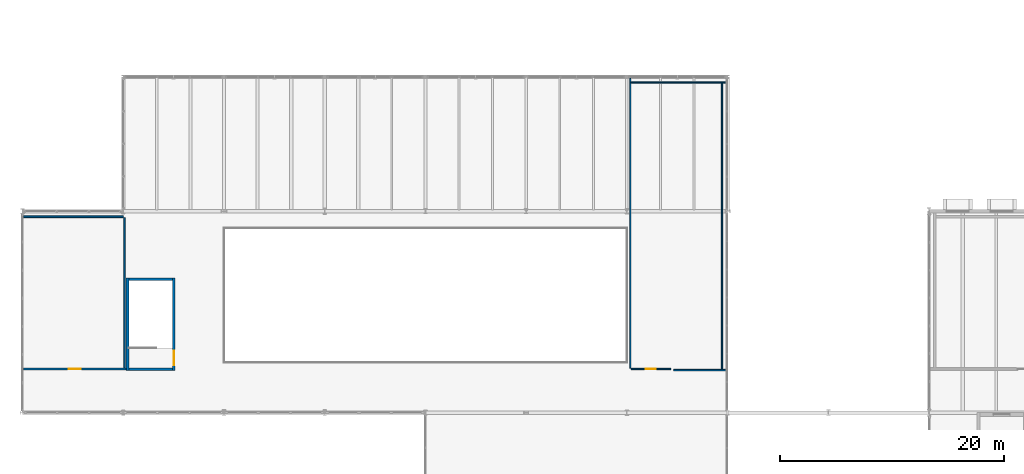
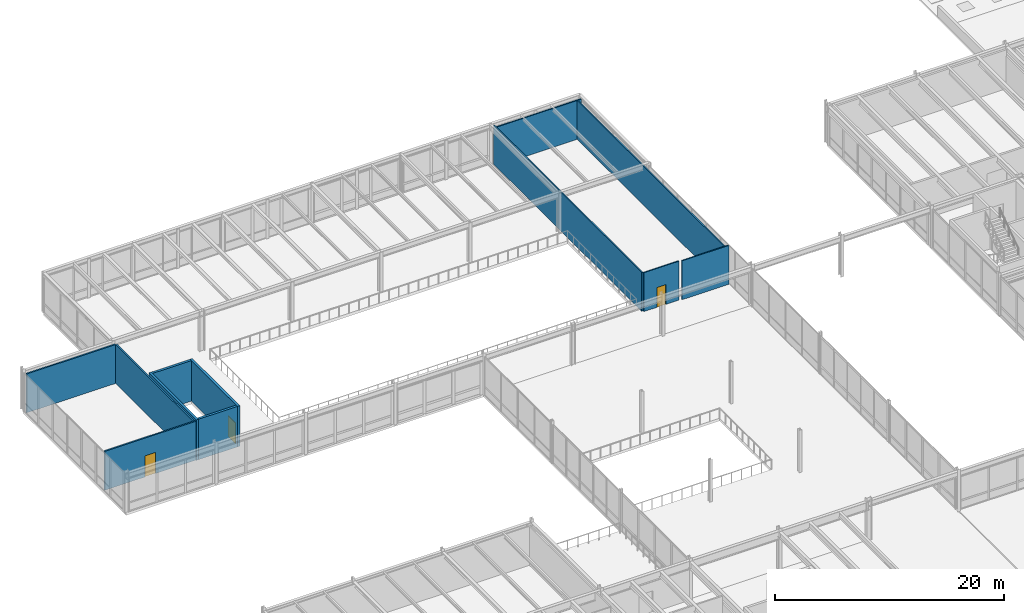
# One storey, part 107 of 115: 12 walls, 3 doors, 3 openings.
"""IFC4 building model written with IfcOpenShell, lengths in metres."""

from ifc_helpers import new_model, si_unit, direction, frame, frame_2d, origin, place, context, subcontext, project, spatial, rectangle, extrude, material, layer, layer_set, type_object, element, fill, save


model = new_model("IFC4")

# Units and contexts
model_context = context("Model", 3, precision=1e-05, world=origin(), true_north=direction((0.0, 1.0)))
body_context = subcontext(model_context, "Body", "Model", "MODEL_VIEW")
ifc_project = project(units=[si_unit("LENGTHUNIT", "METRE"), si_unit("AREAUNIT", "SQUARE_METRE"), si_unit("VOLUMEUNIT", "CUBIC_METRE"), si_unit("PLANEANGLEUNIT", "RADIAN"), si_unit("MASSUNIT", "GRAM", prefix="KILO")], contexts=[model_context])

# Site, building, storey
site_placement = place(None, origin())
site = spatial("IfcSite", under=ifc_project, at=site_placement, CompositionType="ELEMENT")
building_placement = place(site_placement, origin())
building = spatial("IfcBuilding", under=site, at=building_placement, Name="Montelvaro Courts of Justice", CompositionType="ELEMENT")
storey_placement = place(building_placement, frame((0.0, 0.0, 9.89990234375)))
storey = spatial("IfcBuildingStorey", under=building, at=storey_placement, Name="L02", CompositionType="ELEMENT", Elevation=9.89990234375)

# Wall
ifc_material_1 = material(Name="Gypsum board on metal stud")
ifc_layer_1 = layer(ifc_material_1, 0.14990234375)
ifc_layer_set_1 = layer_set([ifc_layer_1], Name="Gypsum board on metal stud")
wall_type_1 = type_object("IfcWallType", Name="ChambersPartition_150", PredefinedType="PARTITIONING", material=ifc_layer_set_1)
wall_1_placement = place(storey_placement, frame((27.10009765625, 95.419921875, 0.0), z_axis=(0.0, 0.0, 1.0), x_axis=(0.0, -1.0, 0.0)))
element("IfcWall", 1, at=wall_1_placement, inside=storey, type_object=wall_type_1, Name="Interior Partition IW-04 (L02)", PredefinedType="PARTITIONING", context=body_context, shape_type="SweptSolid", body=[
    extrude(rectangle(XDim=13.43994140625, YDim=0.14990234375, at=frame_2d((6.719970703125, 0.0))), origin(), (0.0, 0.0, 1.0), 4.14013671875),
])

# Wall, opening, door
wall_2_placement = place(storey_placement, frame((27.264892578125, 81.89990234375, 0.0), z_axis=(0.0, 0.0, 1.0), x_axis=(-1.0, 0.0, 0.0)))
wall_2 = element("IfcWall", 2, at=wall_2_placement, inside=storey, type_object=wall_type_1, Name="Interior Partition IW-04 (L02)", PredefinedType="PARTITIONING", context=body_context, shape_type="SweptSolid", body=[
    extrude(rectangle(XDim=9.18994140625, YDim=0.14990234375, at=frame_2d((4.594970703125, 0.0))), origin(), (0.0, 0.0, 1.0), 4.14013671875),
])
opening_1_placement = place(wall_2_placement, frame((4.070068359375, 0.0, 0.0)))
opening_1 = element("IfcOpeningElement", 3, at=opening_1_placement, cuts=wall_2, Name="Opening D-L02-084", PredefinedType="OPENING", context=body_context, shape_type="SweptSolid", body=[
    extrude(rectangle(XDim=1.050048828125, YDim=2.25, at=frame_2d((0.52490234375, 1.125))), frame((0.0, 0.08984375, 0.0), z_axis=(0.0, -1.0, 0.0), x_axis=(1.0, 0.0, 0.0)), (0.0, 0.0, 1.0), 0.1796875),
])
ifc_material_2 = material(Name="Acoustic oak timber veneer", Category="wood")
door_type_1 = type_object("IfcDoorType", Name="ChamberDoor_105x225", OperationType="NOTDEFINED", PredefinedType="DOOR", material=ifc_material_2)
door_1_placement = place(opening_1_placement, origin())
door_1 = element("IfcDoor", 4, at=door_1_placement, inside=storey, type_object=door_type_1, Name="Interior Door D-L02-084 (Ceremonial Upper Acoustic Gallery)", OperationType="SINGLE_SWING_LEFT", OverallHeight=2.25, OverallWidth=1.050048828125, PredefinedType="DOOR", context=body_context, shape_type="SweptSolid", body=[
    extrude(rectangle(XDim=1.050048828125, YDim=2.25, at=frame_2d((0.52490234375, 1.125))), frame((0.0, 0.02490234375, 0.0), z_axis=(0.0, -1.0, 0.0), x_axis=(1.0, 0.0, 0.0)), (0.0, 0.0, 1.0), 0.050048828125),
])
fill(opening_1, door_1)

# Wall
wall_3_placement = place(storey_placement, frame((18.074951171875, 95.5, 0.0), z_axis=(0.0, 0.0, 1.0), x_axis=(1.0, 0.0, 0.0)))
element("IfcWall", 5, at=wall_3_placement, inside=storey, type_object=wall_type_1, Name="Interior Partition IW-04 (L02)", PredefinedType="PARTITIONING", context=body_context, shape_type="SweptSolid", body=[
    extrude(rectangle(XDim=8.945068359375, YDim=0.14990234375, at=frame_2d((4.47265625, 0.0))), origin(), (0.0, 0.0, 1.0), 4.14013671875),
])

# Wall, opening, door
ifc_layer_2 = layer(ifc_material_1, 0.1201171875)
ifc_layer_set_2 = layer_set([ifc_layer_2], Name="Gypsum board on metal stud")
wall_type_2 = type_object("IfcWallType", Name="OfficePartition_120", PredefinedType="PARTITIONING", material=ifc_layer_set_2)
wall_4_placement = place(storey_placement, frame((75.919921875, 81.89990234375, 0.0), z_axis=(0.0, 0.0, 1.0), x_axis=(-1.0, 0.0, 0.0)))
wall_4 = element("IfcWall", 6, at=wall_4_placement, inside=storey, type_object=wall_type_2, Name="Interior Partition IW-05 (L02)", PredefinedType="PARTITIONING", context=body_context, shape_type="SweptSolid", body=[
    extrude(rectangle(XDim=3.5400390625, YDim=0.1201171875, at=frame_2d((1.77001953125, 0.0))), origin(), (0.0, 0.0, 1.0), 4.14013671875),
])
opening_2_placement = place(wall_4_placement, frame((1.320068359375, 0.0, 0.0)))
opening_2 = element("IfcOpeningElement", 7, at=opening_2_placement, cuts=wall_4, Name="Opening D-L02-085", PredefinedType="OPENING", context=body_context, shape_type="SweptSolid", body=[
    extrude(rectangle(XDim=0.89990234375, YDim=2.10009765625, at=frame_2d((0.449951171875, 1.050048828125))), frame((0.0, 0.074951171875, 0.0), z_axis=(0.0, -1.0, 0.0), x_axis=(1.0, 0.0, 0.0)), (0.0, 0.0, 1.0), 0.14990234375),
])
door_type_2 = type_object("IfcDoorType", Name="OfficeDoor_090x210", OperationType="NOTDEFINED", PredefinedType="DOOR", material=ifc_material_2)
door_2_placement = place(opening_2_placement, frame((0.89990234375, 0.0, 0.0), z_axis=(0.0, 0.0, 1.0), x_axis=(-1.0, 0.0, 0.0)))
door_2 = element("IfcDoor", 8, at=door_2_placement, inside=storey, type_object=door_type_2, Name="Interior Door D-L02-085 (Ceremonial Audiovisual Control Room)", OperationType="SINGLE_SWING_RIGHT", OverallHeight=2.10009765625, OverallWidth=0.89990234375, PredefinedType="DOOR", context=body_context, shape_type="SweptSolid", body=[
    extrude(rectangle(XDim=0.89990234375, YDim=2.10009765625, at=frame_2d((0.449951171875, 1.050048828125))), frame((0.0, 0.02490234375, 0.0), z_axis=(0.0, -1.0, 0.0), x_axis=(1.0, 0.0, 0.0)), (0.0, 0.0, 1.0), 0.050048828125),
])
fill(opening_2, door_2)

# Walls
wall_5_placement = place(storey_placement, frame((72.300048828125, 81.97998046875, 0.0), z_axis=(0.0, 0.0, 1.0), x_axis=(0.0, 1.0, 0.0)))
element("IfcWall", 9, at=wall_5_placement, inside=storey, type_object=wall_type_2, Name="Interior Partition IW-05 (L02)", PredefinedType="PARTITIONING", context=body_context, shape_type="SweptSolid", body=[
    extrude(rectangle(XDim=25.882080078125, YDim=0.1201171875, at=frame_2d((12.94091796875, 0.0))), origin(), (0.0, 0.0, 1.0), 4.14013671875),
])
wall_6_placement = place(storey_placement, frame((72.35498046875, 107.5, 0.0), z_axis=(0.0, 0.0, 1.0), x_axis=(1.0, 0.0, 0.0)))
element("IfcWall", 10, at=wall_6_placement, inside=storey, type_object=wall_type_2, Name="Interior Partition IW-05 (L02)", PredefinedType="PARTITIONING", context=body_context, shape_type="SweptSolid", body=[
    extrude(rectangle(XDim=8.52001953125, YDim=0.1201171875, at=frame_2d((4.260009765625, 0.0))), origin(), (0.0, 0.0, 1.0), 4.14013671875),
])
wall_7_placement = place(storey_placement, frame((80.5, 107.445068359375, 0.0), z_axis=(0.0, 0.0, 1.0), x_axis=(0.0, -1.0, 0.0)))
element("IfcWall", 11, at=wall_7_placement, inside=storey, type_object=wall_type_2, Name="Interior Partition IW-05 (L02)", PredefinedType="PARTITIONING", context=body_context, shape_type="SweptSolid", body=[
    extrude(rectangle(XDim=25.565185546875, YDim=0.1201171875, at=frame_2d((12.78271484375, 0.0))), origin(), (0.0, 0.0, 1.0), 4.14013671875),
])
wall_8_placement = place(storey_placement, frame((80.875, 81.800048828125, 0.0), z_axis=(0.0, 0.0, 1.0), x_axis=(-1.0, 0.0, 0.0)))
element("IfcWall", 12, at=wall_8_placement, inside=storey, type_object=wall_type_2, Name="Interior Partition IW-05 (L02)", PredefinedType="PARTITIONING", context=body_context, shape_type="SweptSolid", body=[
    extrude(rectangle(XDim=4.695068359375, YDim=0.1201171875, at=frame_2d((2.34765625, 0.0))), origin(), (0.0, 0.0, 1.0), 4.14013671875),
])
ifc_material_3 = material(Name="Concrete C35/45", Category="concrete")
ifc_layer_3 = layer(ifc_material_3, 0.239990234375)
ifc_layer_set_3 = layer_set([ifc_layer_3], Name="Concrete C35/45")
wall_type_3 = type_object("IfcWallType", Name="ShaftWall_240", PredefinedType="SHEAR", material=ifc_layer_set_3)
wall_9_placement = place(storey_placement, frame((27.3798828125, 81.760009765625, 0.0), z_axis=(0.0, 0.0, 1.0), x_axis=(0.0, 1.0, 0.0)))
element("IfcWall", 13, at=wall_9_placement, inside=storey, type_object=wall_type_3, Name="Protected Stair Structural Wall ST-P1-W (L02)", PredefinedType="SHEAR", context=body_context, shape_type="SweptSolid", body=[
    extrude(rectangle(XDim=8.280029296875, YDim=0.239990234375, at=frame_2d((4.14013671875, 0.0))), origin(), (0.0, 0.0, 1.0), 4.31005859375),
])

# Wall, opening, door
wall_10_placement = place(storey_placement, frame((31.52001953125, 81.760009765625, 0.0), z_axis=(0.0, 0.0, 1.0), x_axis=(0.0, 1.0, 0.0)))
wall_10 = element("IfcWall", 14, at=wall_10_placement, inside=storey, type_object=wall_type_3, Name="Protected Stair Structural Wall ST-P1-E (L02)", PredefinedType="SHEAR", context=body_context, shape_type="SweptSolid", body=[
    extrude(rectangle(XDim=8.280029296875, YDim=0.239990234375, at=frame_2d((4.14013671875, 0.0))), origin(), (0.0, 0.0, 1.0), 4.31005859375),
])
opening_3_placement = place(wall_10_placement, frame((0.489990234375, 0.0, 0.0)))
opening_3 = element("IfcOpeningElement", 15, at=opening_3_placement, cuts=wall_10, Name="Opening DS-L02-SP1", PredefinedType="OPENING", context=body_context, shape_type="SweptSolid", body=[
    extrude(rectangle(XDim=1.300048828125, YDim=2.199951171875, at=frame_2d((0.64990234375, 1.10009765625))), frame((0.0, 0.134765625, 0.0), z_axis=(0.0, -1.0, 0.0), x_axis=(1.0, 0.0, 0.0)), (0.0, 0.0, 1.0), 0.269775390625),
])
ifc_material_4 = material(Name="Galvanised steel S355 security door", Category="steel")
door_type_3 = type_object("IfcDoorType", Name="StairFireDoor_130x220", OperationType="NOTDEFINED", PredefinedType="DOOR", material=ifc_material_4)
door_3_placement = place(opening_3_placement, frame((1.300048828125, 0.0, 0.0), z_axis=(0.0, 0.0, 1.0), x_axis=(-1.0, 0.0, 0.0)))
door_3 = element("IfcDoor", 16, at=door_3_placement, inside=storey, type_object=door_type_3, Name="Protected Stair Fire Door DS-L02-SP1", OperationType="SINGLE_SWING_LEFT", OverallHeight=2.199951171875, OverallWidth=1.300048828125, PredefinedType="DOOR", context=body_context, shape_type="SweptSolid", body=[
    extrude(rectangle(XDim=1.300048828125, YDim=2.199951171875, at=frame_2d((0.64990234375, 1.10009765625))), frame((0.0, 0.02490234375, 0.0), z_axis=(0.0, -1.0, 0.0), x_axis=(1.0, 0.0, 0.0)), (0.0, 0.0, 1.0), 0.050048828125),
])
fill(opening_3, door_3)

# Walls
for number, where, z_axis, x_axis, name in (
    (17, (27.5, 81.8798828125, 0.0), (0.0, 0.0, 1.0), (1.0, 0.0, 0.0), "Protected Stair Structural Wall ST-P1-S (L02)"),
    (18, (27.5, 89.919921875, 0.0), (0.0, 0.0, 1.0), (1.0, 0.0, 0.0), "Protected Stair Structural Wall ST-P1-N (L02)"),
):
    element("IfcWall", number, at=place(storey_placement, frame(where, z_axis=z_axis, x_axis=x_axis)), inside=storey, type_object=wall_type_3, Name=name, PredefinedType="SHEAR", context=body_context, shape_type="SweptSolid", body=[
        extrude(rectangle(XDim=3.89990234375, YDim=0.239990234375, at=frame_2d((1.949951171875, 0.0))), origin(), (0.0, 0.0, 1.0), 4.31005859375),
    ])

save(model, "model.ifc")
